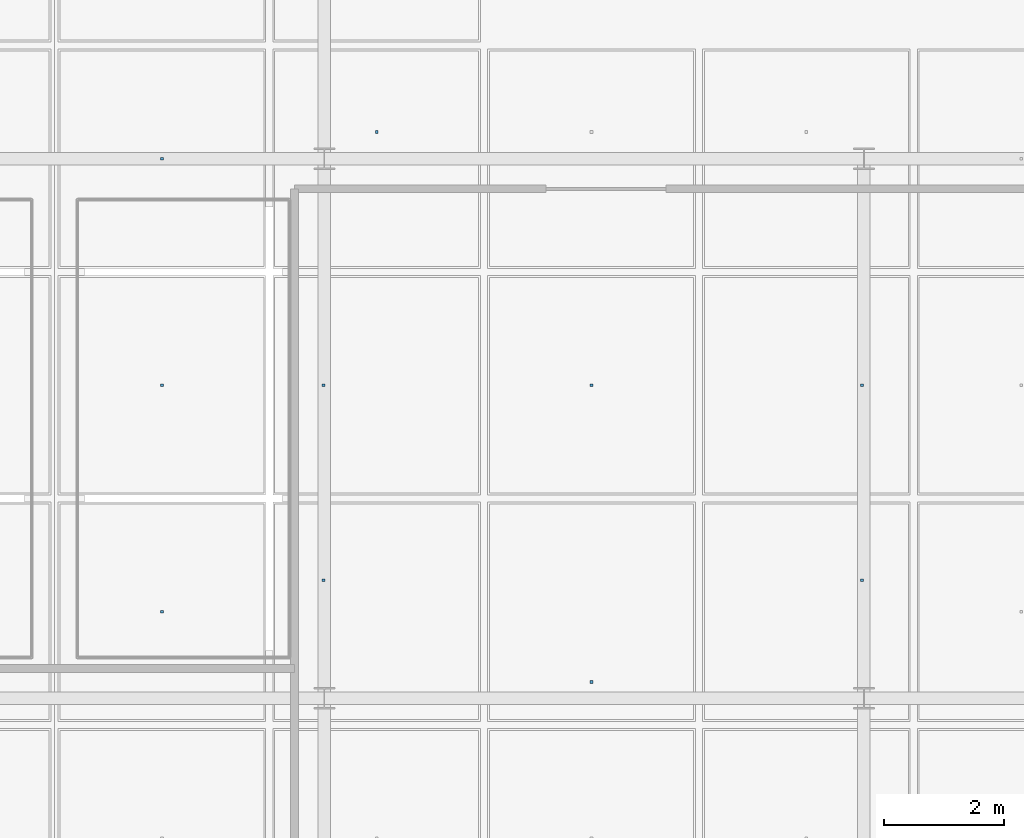
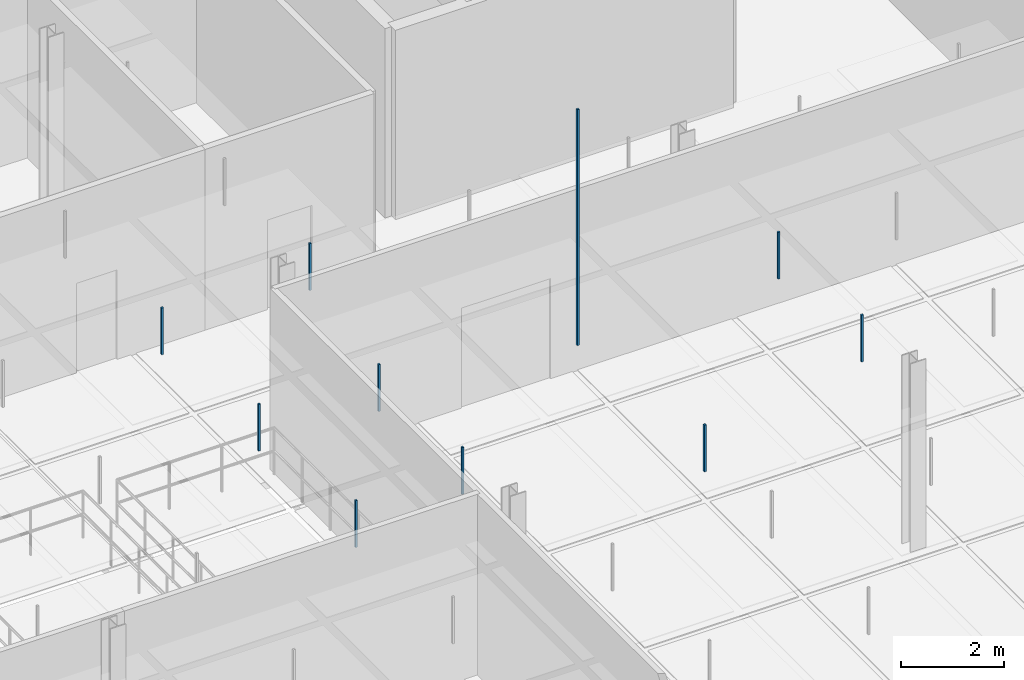
# One storey, part 83 of 130: 10 discrete accessories.
"""IFC4 building model written with IfcOpenShell, lengths in metres."""

from ifc_helpers import new_model, si_unit, direction, frame, origin, origin_2d, place, context, subcontext, project, spatial, rectangle, extrude, material, type_object, element, save


model = new_model("IFC4")

# Units and contexts
model_context = context("Model", 3, precision=1e-05, world=origin(), true_north=direction((0.0, 1.0)))
body_context = subcontext(model_context, "Body", "Model", "MODEL_VIEW")
ifc_project = project(units=[si_unit("LENGTHUNIT", "METRE"), si_unit("AREAUNIT", "SQUARE_METRE"), si_unit("VOLUMEUNIT", "CUBIC_METRE"), si_unit("PLANEANGLEUNIT", "RADIAN"), si_unit("MASSUNIT", "GRAM", prefix="KILO"), si_unit("THERMODYNAMICTEMPERATUREUNIT", "KELVIN"), si_unit("POWERUNIT", "WATT")], contexts=[model_context])

# Site, building, storey
site_placement = place(None, origin())
site = spatial("IfcSite", under=ifc_project, at=site_placement, CompositionType="ELEMENT")
building_placement = place(site_placement, origin())
building = spatial("IfcBuilding", under=site, at=building_placement, Name="Tallowbark Science Centre", CompositionType="ELEMENT")
storey_placement = place(building_placement, frame((0.0, 0.0, 5.39990234375)))
storey = spatial("IfcBuildingStorey", under=building, at=storey_placement, Name="L01", CompositionType="ELEMENT", Elevation=5.39990234375)

# Discrete accessories
ifc_material = material(Name="Galvanised Steel Grade C350L0 (350 MPa)", Category="steel")
discrete_accessory_type = type_object("IfcDiscreteAccessoryType", Name="ACC-CLG-HNG", PredefinedType="BRACKET", material=ifc_material)
for number, where, z_axis, x_axis, name in (
    (1, (82.791748046875, 14.9443359375, 3.20947265625), (0.0, 0.0, 1.0), (1.0, 0.0, 0.0), "Ceiling Hanger Bracket L01-527"),
    (2, (82.791748046875, 18.72216796875, 3.20947265625), (0.0, 0.0, 1.0), (1.0, 0.0, 0.0), "Ceiling Hanger Bracket L01-528"),
    (3, (82.791748046875, 22.5, 3.20947265625), (0.0, 0.0, 1.0), (1.0, 0.0, 0.0), "Ceiling Hanger Bracket L01-529"),
    (4, (85.48681640625, 15.4716796875, 3.20947265625), (0.0, 0.0, 1.0), (1.0, 0.0, 0.0), "Ceiling Hanger Bracket L01-536"),
    (5, (85.48681640625, 18.72216796875, 3.20947265625), (0.0, 0.0, 1.0), (1.0, 0.0, 0.0), "Ceiling Hanger Bracket L01-537"),
    (6, (86.375, 22.949462890625, 3.20947265625), (0.0, 0.0, 1.0), (1.0, 0.0, 0.0), "Ceiling Hanger Bracket L01-538"),
    (7, (89.958251953125, 13.772705078125, 3.20947265625), (0.0, 0.0, 1.0), (1.0, 0.0, 0.0), "Ceiling Hanger Bracket L01-545"),
):
    element("IfcDiscreteAccessory", number, at=place(storey_placement, frame(where, z_axis=z_axis, x_axis=x_axis)), inside=storey, type_object=discrete_accessory_type, Name=name, PredefinedType="BRACKET", context=body_context, shape_type="SweptSolid", body=[
        extrude(rectangle(XDim=0.044921875, YDim=0.044921875, at=origin_2d()), origin(), (0.0, 0.0, 1.0), 1.113525390625),
    ])
discrete_accessory_placement = place(storey_placement, frame((89.958251953125, 18.72216796875, 3.20947265625), z_axis=(0.0, 0.0, 1.0), x_axis=(1.0, 0.0, 0.0)))
element("IfcDiscreteAccessory", 8, at=discrete_accessory_placement, inside=storey, type_object=discrete_accessory_type, Name="Ceiling Hanger Bracket L01-546", PredefinedType="BRACKET", context=body_context, shape_type="SweptSolid", body=[
    extrude(rectangle(XDim=0.044921875, YDim=0.044921875, at=origin_2d()), origin(), (0.0, 0.0, 1.0), 5.613525390625),
])
for number, where, z_axis, x_axis, name in (
    (9, (94.4716796875, 15.4716796875, 3.20947265625), (0.0, 0.0, 1.0), (1.0, 0.0, 0.0), "Ceiling Hanger Bracket L01-550"),
    (10, (94.4716796875, 18.72216796875, 3.20947265625), (0.0, 0.0, 1.0), (1.0, 0.0, 0.0), "Ceiling Hanger Bracket L01-551"),
):
    element("IfcDiscreteAccessory", number, at=place(storey_placement, frame(where, z_axis=z_axis, x_axis=x_axis)), inside=storey, type_object=discrete_accessory_type, Name=name, PredefinedType="BRACKET", context=body_context, shape_type="SweptSolid", body=[
        extrude(rectangle(XDim=0.044921875, YDim=0.044921875, at=origin_2d()), origin(), (0.0, 0.0, 1.0), 1.113525390625),
    ])

save(model, "model.ifc")
